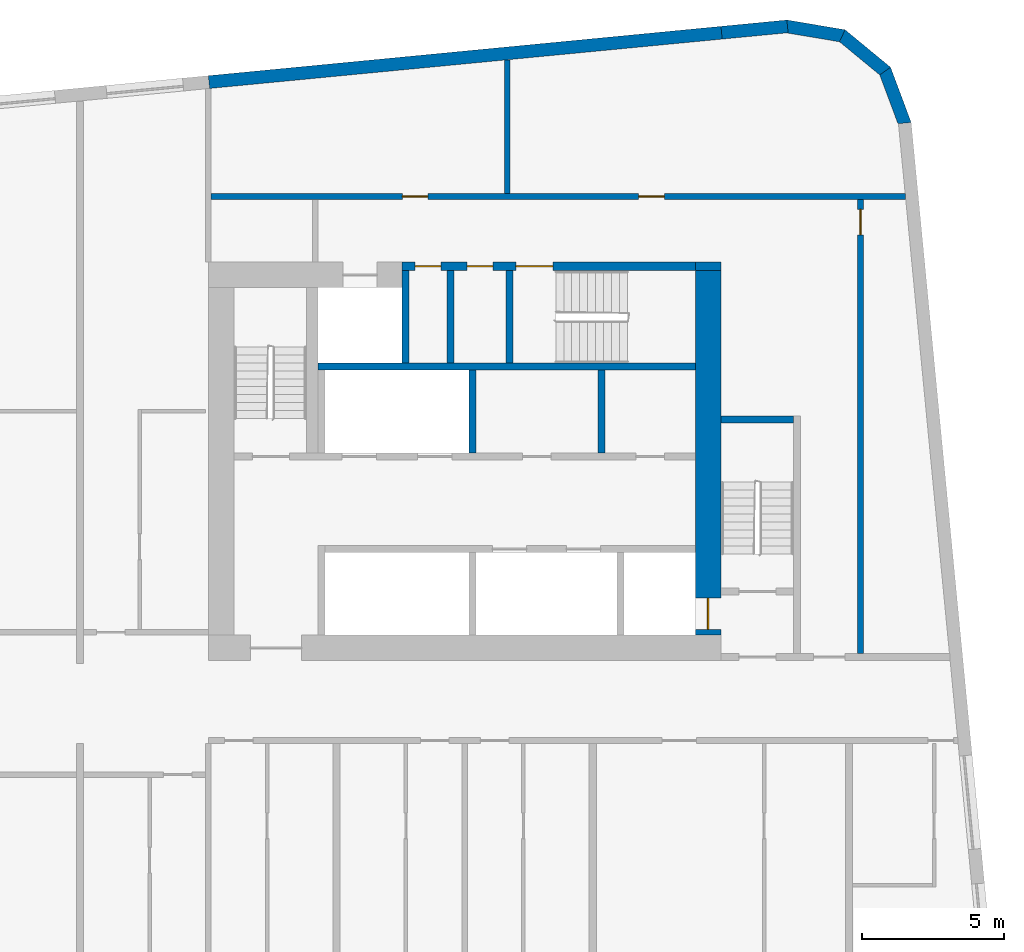
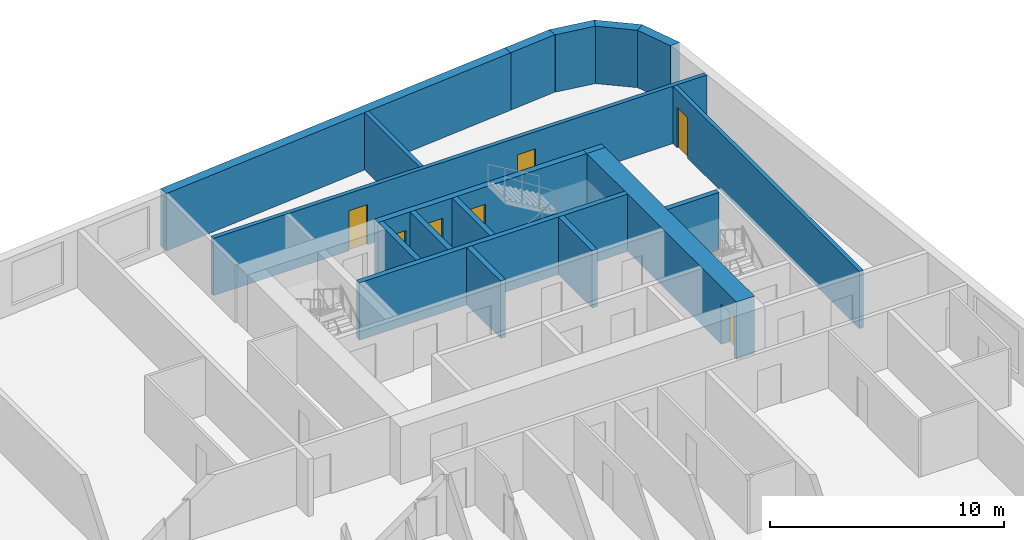
# One storey, part 8 of 12: 18 walls, 7 doors, 7 openings.
"""IFC4 building model written with IfcOpenShell, lengths in metres."""

from ifc_helpers import new_model, si_unit, direction, frame, frame_2d, origin, place, context, subcontext, project, spatial, polyline, rectangle, outline, extrude, material, layer, layer_set, type_object, element, fill, save


model = new_model("IFC4")

# Units and contexts
model_context = context("Model", 3, precision=1e-05, world=origin(), true_north=direction((0.0, 1.0)))
body_context = subcontext(model_context, "Body", "Model", "MODEL_VIEW")
ifc_project = project(units=[si_unit("LENGTHUNIT", "METRE"), si_unit("AREAUNIT", "SQUARE_METRE"), si_unit("VOLUMEUNIT", "CUBIC_METRE"), si_unit("PLANEANGLEUNIT", "RADIAN"), si_unit("MASSUNIT", "GRAM", prefix="KILO")], contexts=[model_context])

# Site, building, storey
site_placement = place(None, origin())
site = spatial("IfcSite", under=ifc_project, at=site_placement, CompositionType="ELEMENT")
building_placement = place(site_placement, origin())
building = spatial("IfcBuilding", under=site, at=building_placement, Name="Kajstack Hotel Tower", CompositionType="ELEMENT")
storey_placement = place(building_placement, frame((0.0, 0.0, 203.199951171875)))
storey = spatial("IfcBuildingStorey", under=building, at=storey_placement, Name="L49", CompositionType="ELEMENT", Elevation=203.199951171875)

# Wall
ifc_material_1 = material(Name="Concrete C60/75", Category="concrete")
ifc_layer_1 = layer(ifc_material_1, 0.89990234375)
ifc_layer_set_1 = layer_set([ifc_layer_1], Name="Core wall 900")
wall_type_1 = type_object("IfcWallType", Name="Core wall 900", PredefinedType="SHEAR", material=ifc_layer_set_1)
wall_1_placement = place(storey_placement, frame((30.60009765625, 15.35009765625, 0.0), z_axis=(0.0, 0.0, 1.0), x_axis=(1.0, 0.0, 0.0)))
element("IfcWall", 1, at=wall_1_placement, inside=storey, type_object=wall_type_1, Name="Core wall E RSW", PredefinedType="SHEAR", context=body_context, shape_type="SweptSolid", body=[
    extrude(rectangle(XDim=0.89990234375, YDim=0.300048828125, at=frame_2d((0.449951171875, 0.0))), origin(), (0.0, 0.0, 1.0), 3.0),
])

# Wall, opening, door
wall_2_placement = place(storey_placement, frame((31.050048828125, 2.39990234375, 0.0), z_axis=(0.0, 0.0, 1.0), x_axis=(0.0, 1.0, 0.0)))
wall_2 = element("IfcWall", 2, at=wall_2_placement, inside=storey, type_object=wall_type_1, Name="Core wall E RW", PredefinedType="SHEAR", context=body_context, shape_type="SweptSolid", body=[
    extrude(rectangle(XDim=12.800048828125, YDim=0.89990234375, at=frame_2d((6.39990234375, 0.0))), origin(), (0.0, 0.0, 1.0), 3.0),
])
opening_1_placement = place(wall_2_placement, frame((0.199951171875, 0.0, 0.0)))
opening_1 = element("IfcOpeningElement", 3, at=opening_1_placement, cuts=wall_2, Name="Opening LD-FF2", PredefinedType="OPENING", context=body_context, shape_type="SweptSolid", body=[
    extrude(rectangle(XDim=1.10009765625, YDim=2.10009765625, at=frame_2d((0.550048828125, 1.050048828125))), frame((0.0, 0.4599609375, 0.0), z_axis=(0.0, -1.0, 0.0), x_axis=(1.0, 0.0, 0.0)), (0.0, 0.0, 1.0), 0.919921875),
])
ifc_material_2 = material(Name="Stainless steel", Category="steel")
door_type_1 = type_object("IfcDoorType", Name="Fire-fighting lift landing door 1100", OperationType="SLIDING_TO_LEFT", PredefinedType="DOOR", material=ifc_material_2)
door_1_placement = place(opening_1_placement, origin())
door_1 = element("IfcDoor", 4, at=door_1_placement, inside=storey, type_object=door_type_1, Name="Landing door FF2", OperationType="SLIDING_TO_LEFT", OverallHeight=2.10009765625, OverallWidth=1.10009765625, PredefinedType="DOOR", context=body_context, shape_type="SweptSolid", body=[
    extrude(rectangle(XDim=1.10009765625, YDim=2.10009765625, at=frame_2d((0.550048828125, 1.050048828125))), frame((0.0, 0.02490234375, 0.0), z_axis=(0.0, -1.0, 0.0), x_axis=(1.0, 0.0, 0.0)), (0.0, 0.0, 1.0), 0.050048828125),
])
fill(opening_1, door_1)

# Walls
ifc_material_3 = material(Name="Concrete C40/50", Category="concrete")
ifc_layer_2 = layer(ifc_material_3, 0.449951171875)
ifc_layer_set_2 = layer_set([ifc_layer_2], Name="EW-CORE")
wall_type_2 = type_object("IfcWallType", Name="EW-CORE", PredefinedType="SOLIDWALL", material=ifc_layer_set_2)
wall_3_placement = place(storey_placement, frame((31.521484375, 23.55078125, 0.0), z_axis=(0.0, 0.0, 1.0), x_axis=(-0.995395166513, -0.095856468129, 0.0)))
element("IfcWall", 5, at=wall_3_placement, inside=storey, type_object=wall_type_2, Name="E-wall-L49-12-01", PredefinedType="SOLIDWALL", context=body_context, shape_type="SweptSolid", body=[
    extrude(rectangle(XDim=18.083251953125, YDim=0.449951171875, at=frame_2d((9.04150390625, 0.0))), origin(), (0.0, 0.0, 1.0), 3.0),
])
ifc_material_4 = material(Name="Terracotta-faced brick masonry", Category="masonry")
ifc_layer_3 = layer(ifc_material_4, 0.449951171875)
ifc_layer_set_3 = layer_set([ifc_layer_3], Name="EW-TERRA")
wall_type_3 = type_object("IfcWallType", Name="EW-TERRA", PredefinedType="SOLIDWALL", material=ifc_layer_set_3)
wall_4_placement = place(storey_placement, frame((37.96875, 20.320556640625, 0.0), z_axis=(0.0, 0.0, 1.0), x_axis=(-0.350192909346, 0.936677599948, 0.0)))
element("IfcWall", 6, at=wall_4_placement, inside=storey, type_object=wall_type_3, Name="E-wall-L49-09-00", PredefinedType="SOLIDWALL", context=body_context, shape_type="SweptSolid", body=[
    extrude(outline(polyline([(0.0, -0.22509765625), (2.070556640625, -0.22509765625), (1.949951171875, 0.22509765625), (0.12060546875, 0.224853515625), (0.0, -0.22509765625)])), origin(), (0.0, 0.0, 1.0), 3.0),
])
wall_5_placement = place(storey_placement, frame((37.311279296875, 22.165283203125, 0.0), z_axis=(0.0, 0.0, 1.0), x_axis=(-0.771651049663, 0.636046112757, 0.0)))
element("IfcWall", 7, at=wall_5_placement, inside=storey, type_object=wall_type_3, Name="E-wall-L49-10-00", PredefinedType="SOLIDWALL", context=body_context, shape_type="SweptSolid", body=[
    extrude(outline(polyline([(0.0, -0.224853515625), (2.0703125, -0.22509765625), (1.94970703125, 0.224853515625), (0.12060546875, 0.22509765625), (0.0, -0.224853515625)])), origin(), (0.0, 0.0, 1.0), 3.0),
])
wall_6_placement = place(storey_placement, frame((35.819580078125, 23.433837890625, 0.0), z_axis=(0.0, 0.0, 1.0), x_axis=(-0.986278951104, 0.165087342366, 0.0)))
element("IfcWall", 8, at=wall_6_placement, inside=storey, type_object=wall_type_3, Name="E-wall-L49-11-00", PredefinedType="SOLIDWALL", context=body_context, shape_type="SweptSolid", body=[
    extrude(outline(polyline([(0.0, -0.22509765625), (2.070556640625, -0.224853515625), (1.949951171875, 0.22509765625), (0.12060546875, 0.224853515625), (0.0, -0.22509765625)])), origin(), (0.0, 0.0, 1.0), 3.0),
])
wall_7_placement = place(storey_placement, frame((33.836181640625, 23.7734375, 0.0), z_axis=(0.0, 0.0, 1.0), x_axis=(-0.995405373555, -0.095750416695, 0.0)))
element("IfcWall", 9, at=wall_7_placement, inside=storey, type_object=wall_type_3, Name="E-wall-L49-12-00", PredefinedType="SOLIDWALL", context=body_context, shape_type="SweptSolid", body=[
    extrude(rectangle(XDim=2.325439453125, YDim=0.449951171875, at=frame_2d((1.16259765625, 0.0))), origin(), (0.0, 0.0, 1.0), 3.0),
])
ifc_material_5 = material(Name="Concrete C50/60", Category="concrete")
ifc_layer_4 = layer(ifc_material_5, 0.300048828125)
ifc_layer_set_4 = layer_set([ifc_layer_4], Name="Hoistway divider wall 300")
wall_type_4 = type_object("IfcWallType", Name="Hoistway divider wall 300", PredefinedType="SHEAR", material=ifc_layer_set_4)
wall_8_placement = place(storey_placement, frame((22.77490234375, 8.800048828125, 0.0), z_axis=(0.0, 0.0, 1.0), x_axis=(0.0, 1.0, 0.0)))
element("IfcWall", 10, at=wall_8_placement, inside=storey, type_object=wall_type_4, Name="Core wall E BP2", PredefinedType="SHEAR", context=body_context, shape_type="SweptSolid", body=[
    extrude(rectangle(XDim=2.89990234375, YDim=0.25, at=frame_2d((1.449951171875, 0.0))), origin(), (0.0, 0.0, 1.0), 3.0),
])
ifc_material_6 = material(Name="Concrete block masonry", Category="masonry")
ifc_layer_5 = layer(ifc_material_6, 0.25)
ifc_layer_set_5 = layer_set([ifc_layer_5], Name="Riser partition 250")
wall_type_5 = type_object("IfcWallType", Name="Riser partition 250", PredefinedType="PARTITIONING", material=ifc_layer_set_5)
wall_9_placement = place(storey_placement, frame((27.300048828125, 8.800048828125, 0.0), z_axis=(0.0, 0.0, 1.0), x_axis=(0.0, 1.0, 0.0)))
element("IfcWall", 11, at=wall_9_placement, inside=storey, type_object=wall_type_5, Name="Partition E BF0", PredefinedType="PARTITIONING", context=body_context, shape_type="SweptSolid", body=[
    extrude(rectangle(XDim=2.89990234375, YDim=0.25, at=frame_2d((1.449951171875, 0.0))), origin(), (0.0, 0.0, 1.0), 3.0),
])
wall_10_placement = place(storey_placement, frame((22.0, 11.949951171875, 0.0), z_axis=(0.0, 0.0, 1.0), x_axis=(0.0, 1.0, 0.0)))
element("IfcWall", 12, at=wall_10_placement, inside=storey, type_object=wall_type_5, Name="Partition E SZ0", PredefinedType="PARTITIONING", context=body_context, shape_type="SweptSolid", body=[
    extrude(rectangle(XDim=3.25, YDim=0.25, at=frame_2d((1.625, 0.0))), origin(), (0.0, 0.0, 1.0), 3.0),
])

# Wall, opening, door
ifc_material_7 = material(Name="Gypsum board on steel studs, mineral wool", Category="steel")
ifc_layer_6 = layer(ifc_material_7, 0.199951171875)
ifc_layer_set_6 = layer_set([ifc_layer_6], Name="Service partition 200")
wall_type_6 = type_object("IfcWallType", Name="Service partition 200", PredefinedType="PARTITIONING", material=ifc_layer_set_6)
wall_11_placement = place(storey_placement, frame((36.39990234375, 1.75, 0.0), z_axis=(0.0, 0.0, 1.0), x_axis=(0.0, 1.0, 0.0)))
wall_11 = element("IfcWall", 13, at=wall_11_placement, inside=storey, type_object=wall_type_6, Name="Partition E WRE", PredefinedType="PARTITIONING", context=body_context, shape_type="SweptSolid", body=[
    extrude(rectangle(XDim=15.949951171875, YDim=0.199951171875, at=frame_2d((7.97509765625, 0.0))), origin(), (0.0, 0.0, 1.0), 3.0),
])
opening_2_placement = place(wall_11_placement, frame((14.699951171875, 0.0, 0.0)))
opening_2 = element("IfcOpeningElement", 14, at=opening_2_placement, cuts=wall_11, Name="Opening 49E19", PredefinedType="OPENING", context=body_context, shape_type="SweptSolid", body=[
    extrude(rectangle(XDim=0.89990234375, YDim=2.10009765625, at=frame_2d((0.449951171875, 1.050048828125))), frame((0.0, 0.10986328125, 0.0), z_axis=(0.0, -1.0, 0.0), x_axis=(1.0, 0.0, 0.0)), (0.0, 0.0, 1.0), 0.219970703125),
])
ifc_material_8 = material(Name="Timber leaf, fire-rated", Category="wood")
door_type_2 = type_object("IfcDoorType", Name="Service door 900", OperationType="SINGLE_SWING_LEFT", PredefinedType="DOOR", material=ifc_material_8)
door_2_placement = place(opening_2_placement, origin())
door_2 = element("IfcDoor", 15, at=door_2_placement, inside=storey, type_object=door_type_2, Name="Door 49E19", OperationType="SINGLE_SWING_RIGHT", OverallHeight=2.10009765625, OverallWidth=0.89990234375, PredefinedType="DOOR", context=body_context, shape_type="SweptSolid", body=[
    extrude(rectangle(XDim=0.89990234375, YDim=2.10009765625, at=frame_2d((0.449951171875, 1.050048828125))), frame((0.0, 0.02490234375, 0.0), z_axis=(0.0, -1.0, 0.0), x_axis=(1.0, 0.0, 0.0)), (0.0, 0.0, 1.0), 0.050048828125),
])
fill(opening_2, door_2)

# Wall, openings, doors
wall_12_placement = place(storey_placement, frame((13.60009765625, 17.800048828125, 0.0), z_axis=(0.0, 0.0, 1.0), x_axis=(1.0, 0.0, 0.0)))
wall_12 = element("IfcWall", 16, at=wall_12_placement, inside=storey, type_object=wall_type_6, Name="Partition E SLN", PredefinedType="PARTITIONING", context=body_context, shape_type="SweptSolid", body=[
    extrude(rectangle(XDim=24.377685546875, YDim=0.199951171875, at=frame_2d((12.18896484375, 0.0))), origin(), (0.0, 0.0, 1.0), 3.0),
])
opening_3_placement = place(wall_12_placement, frame((15.012451171875, 0.0, 0.0)))
opening_3 = element("IfcOpeningElement", 17, at=opening_3_placement, cuts=wall_12, Name="Opening 49E17", PredefinedType="OPENING", context=body_context, shape_type="SweptSolid", body=[
    extrude(rectangle(XDim=0.89990234375, YDim=2.10009765625, at=frame_2d((0.449951171875, 1.050048828125))), frame((0.0, 0.10986328125, 0.0), z_axis=(0.0, -1.0, 0.0), x_axis=(1.0, 0.0, 0.0)), (0.0, 0.0, 1.0), 0.219970703125),
])
opening_4_placement = place(wall_12_placement, frame((6.71240234375, 0.0, 0.0)))
opening_4 = element("IfcOpeningElement", 18, at=opening_4_placement, cuts=wall_12, Name="Opening 49E18", PredefinedType="OPENING", context=body_context, shape_type="SweptSolid", body=[
    extrude(rectangle(XDim=0.89990234375, YDim=2.10009765625, at=frame_2d((0.449951171875, 1.050048828125))), frame((0.0, 0.10986328125, 0.0), z_axis=(0.0, -1.0, 0.0), x_axis=(1.0, 0.0, 0.0)), (0.0, 0.0, 1.0), 0.219970703125),
])
door_3_placement = place(opening_3_placement, origin())
door_3 = element("IfcDoor", 19, at=door_3_placement, inside=storey, type_object=door_type_2, Name="Door 49E17", OperationType="SINGLE_SWING_LEFT", OverallHeight=2.10009765625, OverallWidth=0.89990234375, PredefinedType="DOOR", context=body_context, shape_type="SweptSolid", body=[
    extrude(rectangle(XDim=0.89990234375, YDim=2.10009765625, at=frame_2d((0.449951171875, 1.050048828125))), frame((0.0, 0.02490234375, 0.0), z_axis=(0.0, -1.0, 0.0), x_axis=(1.0, 0.0, 0.0)), (0.0, 0.0, 1.0), 0.050048828125),
])
fill(opening_3, door_3)
door_4_placement = place(opening_4_placement, origin())
door_4 = element("IfcDoor", 20, at=door_4_placement, inside=storey, type_object=door_type_2, Name="Door 49E18", OperationType="SINGLE_SWING_LEFT", OverallHeight=2.10009765625, OverallWidth=0.89990234375, PredefinedType="DOOR", context=body_context, shape_type="SweptSolid", body=[
    extrude(rectangle(XDim=0.89990234375, YDim=2.10009765625, at=frame_2d((0.449951171875, 1.050048828125))), frame((0.0, 0.02490234375, 0.0), z_axis=(0.0, -1.0, 0.0), x_axis=(1.0, 0.0, 0.0)), (0.0, 0.0, 1.0), 0.050048828125),
])
fill(opening_4, door_4)

# Wall
wall_13_placement = place(storey_placement, frame((24.0, 17.89990234375, 0.0), z_axis=(0.0, 0.0, 1.0), x_axis=(0.0, 1.0, 0.0)))
element("IfcWall", 21, at=wall_13_placement, inside=storey, type_object=wall_type_6, Name="Partition E SLP0", PredefinedType="PARTITIONING", context=body_context, shape_type="SweptSolid", body=[
    extrude(rectangle(XDim=4.701416015625, YDim=0.199951171875, at=frame_2d((2.3505859375, 0.0))), origin(), (0.0, 0.0, 1.0), 3.0),
])

# Wall, openings, doors
ifc_layer_7 = layer(ifc_material_5, 0.25)
ifc_layer_set_7 = layer_set([ifc_layer_7], Name="Shaft wall 250")
wall_type_7 = type_object("IfcWallType", Name="Shaft wall 250", PredefinedType="SHEAR", material=ifc_layer_set_7)
wall_14_placement = place(storey_placement, frame((20.300048828125, 15.35009765625, 0.0), z_axis=(0.0, 0.0, 1.0), x_axis=(1.0, 0.0, 0.0)))
wall_14 = element("IfcWall", 22, at=wall_14_placement, inside=storey, type_object=wall_type_7, Name="Core wall E RSS", PredefinedType="SHEAR", context=body_context, shape_type="SweptSolid", body=[
    extrude(rectangle(XDim=10.300048828125, YDim=0.300048828125, at=frame_2d((5.14990234375, 0.0))), origin(), (0.0, 0.0, 1.0), 3.0),
])
opening_5_placement = place(wall_14_placement, frame((4.0, 0.0, 0.0)))
opening_5 = element("IfcOpeningElement", 23, at=opening_5_placement, cuts=wall_14, Name="Opening 49E12", PredefinedType="OPENING", context=body_context, shape_type="SweptSolid", body=[
    extrude(rectangle(XDim=1.300048828125, YDim=2.10009765625, at=frame_2d((0.64990234375, 1.050048828125))), frame((0.0, 0.159912109375, 0.0), z_axis=(0.0, -1.0, 0.0), x_axis=(1.0, 0.0, 0.0)), (0.0, 0.0, 1.0), 0.320068359375),
])
opening_6_placement = place(wall_14_placement, frame((2.28759765625, 0.0, 0.0)))
opening_6 = element("IfcOpeningElement", 24, at=opening_6_placement, cuts=wall_14, Name="Opening 49E13", PredefinedType="OPENING", context=body_context, shape_type="SweptSolid", body=[
    extrude(rectangle(XDim=0.89990234375, YDim=2.10009765625, at=frame_2d((0.449951171875, 1.050048828125))), frame((0.0, 0.159912109375, 0.0), z_axis=(0.0, -1.0, 0.0), x_axis=(1.0, 0.0, 0.0)), (0.0, 0.0, 1.0), 0.320068359375),
])
opening_7_placement = place(wall_14_placement, frame((0.46240234375, 0.0, 0.0)))
opening_7 = element("IfcOpeningElement", 25, at=opening_7_placement, cuts=wall_14, Name="Opening 49E14", PredefinedType="OPENING", context=body_context, shape_type="SweptSolid", body=[
    extrude(rectangle(XDim=0.89990234375, YDim=2.10009765625, at=frame_2d((0.449951171875, 1.050048828125))), frame((0.0, 0.159912109375, 0.0), z_axis=(0.0, -1.0, 0.0), x_axis=(1.0, 0.0, 0.0)), (0.0, 0.0, 1.0), 0.320068359375),
])
door_5_placement = place(opening_6_placement, origin())
door_5 = element("IfcDoor", 26, at=door_5_placement, inside=storey, type_object=door_type_2, Name="Door 49E13", OperationType="SINGLE_SWING_RIGHT", OverallHeight=2.10009765625, OverallWidth=0.89990234375, PredefinedType="DOOR", context=body_context, shape_type="SweptSolid", body=[
    extrude(rectangle(XDim=0.89990234375, YDim=2.10009765625, at=frame_2d((0.449951171875, 1.050048828125))), frame((0.0, 0.02490234375, 0.0), z_axis=(0.0, -1.0, 0.0), x_axis=(1.0, 0.0, 0.0)), (0.0, 0.0, 1.0), 0.050048828125),
])
fill(opening_6, door_5)
door_6_placement = place(opening_7_placement, origin())
door_6 = element("IfcDoor", 27, at=door_6_placement, inside=storey, type_object=door_type_2, Name="Door 49E14", OperationType="SINGLE_SWING_RIGHT", OverallHeight=2.10009765625, OverallWidth=0.89990234375, PredefinedType="DOOR", context=body_context, shape_type="SweptSolid", body=[
    extrude(rectangle(XDim=0.89990234375, YDim=2.10009765625, at=frame_2d((0.449951171875, 1.050048828125))), frame((0.0, 0.02490234375, 0.0), z_axis=(0.0, -1.0, 0.0), x_axis=(1.0, 0.0, 0.0)), (0.0, 0.0, 1.0), 0.050048828125),
])
fill(opening_7, door_6)
ifc_material_9 = material(Name="Steel leaf, fire-rated", Category="steel")
door_type_3 = type_object("IfcDoorType", Name="Stair door 1300", OperationType="SINGLE_SWING_LEFT", PredefinedType="DOOR", material=ifc_material_9)
door_7_placement = place(opening_5_placement, origin())
door_7 = element("IfcDoor", 28, at=door_7_placement, inside=storey, type_object=door_type_3, Name="Door 49E12", OperationType="SINGLE_SWING_LEFT", OverallHeight=2.10009765625, OverallWidth=1.300048828125, PredefinedType="DOOR", context=body_context, shape_type="SweptSolid", body=[
    extrude(rectangle(XDim=1.300048828125, YDim=2.10009765625, at=frame_2d((0.64990234375, 1.050048828125))), frame((0.0, 0.02490234375, 0.0), z_axis=(0.0, -1.0, 0.0), x_axis=(1.0, 0.0, 0.0)), (0.0, 0.0, 1.0), 0.050048828125),
])
fill(opening_5, door_7)

# Walls
wall_15_placement = place(storey_placement, frame((17.35009765625, 11.824951171875, 0.0), z_axis=(0.0, 0.0, 1.0), x_axis=(1.0, 0.0, 0.0)))
element("IfcWall", 29, at=wall_15_placement, inside=storey, type_object=wall_type_7, Name="Core wall E RB", PredefinedType="SHEAR", context=body_context, shape_type="SweptSolid", body=[
    extrude(rectangle(XDim=13.25, YDim=0.25, at=frame_2d((6.625, 0.0))), origin(), (0.0, 0.0, 1.0), 3.0),
])
wall_16_placement = place(storey_placement, frame((20.425048828125, 11.949951171875, 0.0), z_axis=(0.0, 0.0, 1.0), x_axis=(0.0, 1.0, 0.0)))
element("IfcWall", 30, at=wall_16_placement, inside=storey, type_object=wall_type_7, Name="Core wall E SVW", PredefinedType="SHEAR", context=body_context, shape_type="SweptSolid", body=[
    extrude(rectangle(XDim=3.25, YDim=0.25, at=frame_2d((1.625, 0.0))), origin(), (0.0, 0.0, 1.0), 3.0),
])
ifc_layer_8 = layer(ifc_material_3, 0.25)
ifc_layer_set_8 = layer_set([ifc_layer_8], Name="Stair enclosure wall 250")
wall_type_8 = type_object("IfcWallType", Name="Stair enclosure wall 250", PredefinedType="SHEAR", material=ifc_layer_set_8)
wall_17_placement = place(storey_placement, frame((31.5, 9.97509765625, 0.0), z_axis=(0.0, 0.0, 1.0), x_axis=(1.0, 0.0, 0.0)))
element("IfcWall", 31, at=wall_17_placement, inside=storey, type_object=wall_type_8, Name="Core wall E W1S", PredefinedType="SHEAR", context=body_context, shape_type="SweptSolid", body=[
    extrude(rectangle(XDim=2.550048828125, YDim=0.25, at=frame_2d((1.27490234375, 0.0))), origin(), (0.0, 0.0, 1.0), 3.0),
])
ifc_layer_9 = layer(ifc_material_5, 0.35009765625)
ifc_layer_set_9 = layer_set([ifc_layer_9], Name="Stair enclosure wall 350")
wall_type_9 = type_object("IfcWallType", Name="Stair enclosure wall 350", PredefinedType="SHEAR", material=ifc_layer_set_9)
wall_18_placement = place(storey_placement, frame((24.074951171875, 11.949951171875, 0.0), z_axis=(0.0, 0.0, 1.0), x_axis=(0.0, 1.0, 0.0)))
element("IfcWall", 32, at=wall_18_placement, inside=storey, type_object=wall_type_9, Name="Core wall E W3E", PredefinedType="SHEAR", context=body_context, shape_type="SweptSolid", body=[
    extrude(rectangle(XDim=3.25, YDim=0.25, at=frame_2d((1.625, 0.0))), origin(), (0.0, 0.0, 1.0), 3.0),
])

save(model, "model.ifc")
